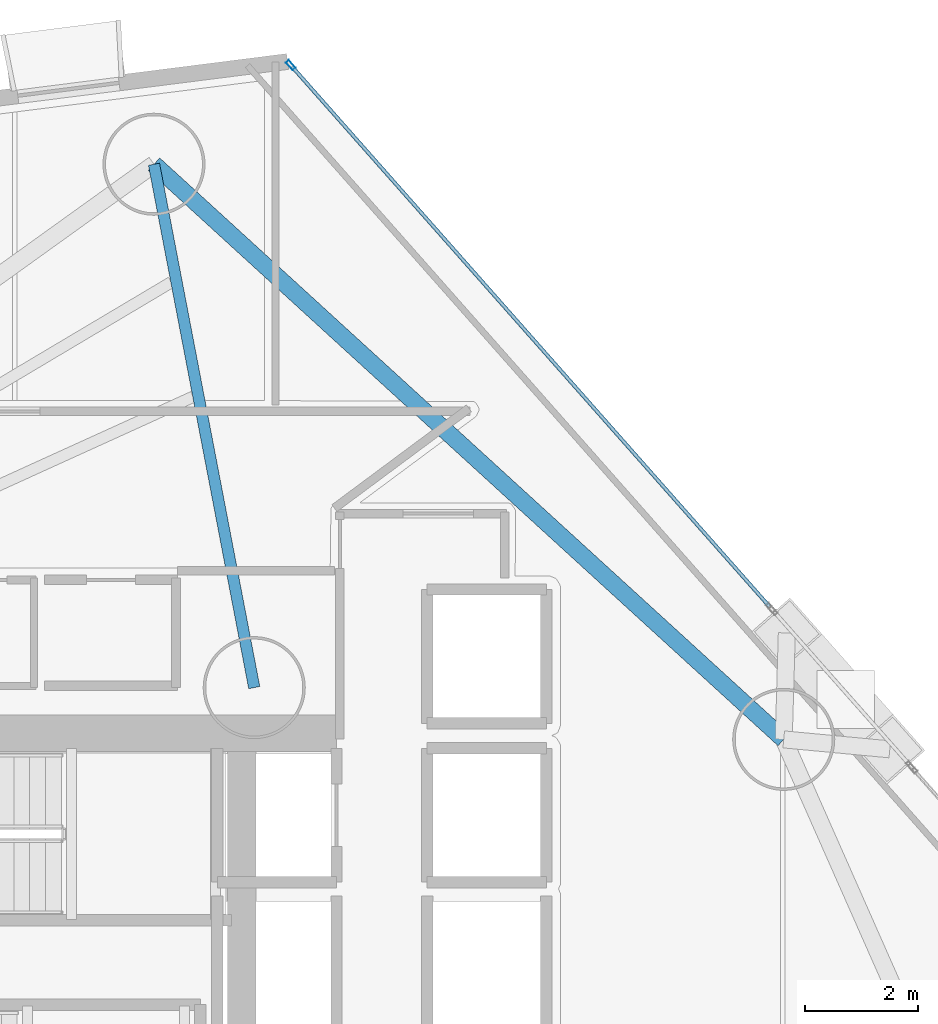
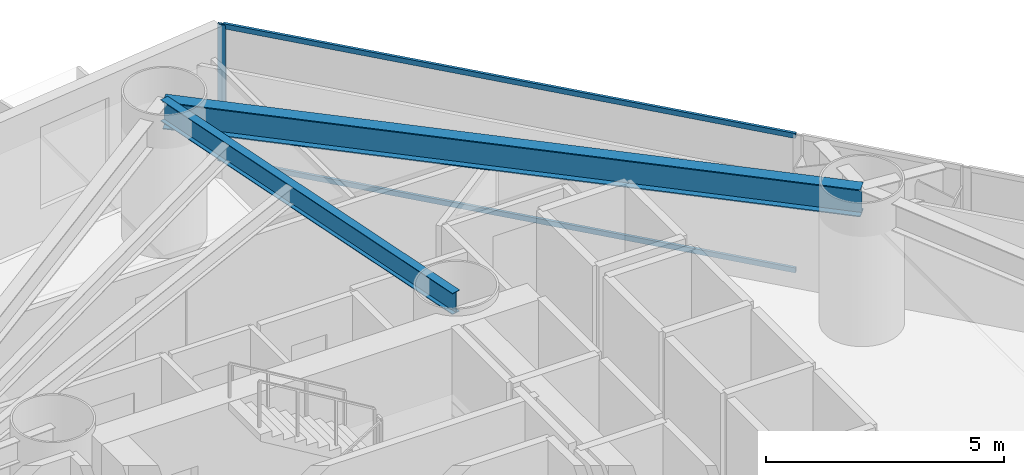
# One storey, part 11 of 22: 3 members, 2 beams, 1 element without a shape of its own.
"""IFC4 building model written with IfcOpenShell, lengths in metres."""

from ifc_helpers import new_model, si_unit, direction, frame, origin, origin_2d, place, context, subcontext, project, spatial, hollow_rectangle, i_section, extrude, material, layer, layer_set, material_profile, profile_set, type_object, element, aggregate, save


model = new_model("IFC4")

# Units and contexts
model_context = context("Model", 3, precision=1e-05, world=origin(), true_north=direction((0.0, 1.0)))
body_context = subcontext(model_context, "Body", "Model", "MODEL_VIEW")
ifc_project = project(units=[si_unit("LENGTHUNIT", "METRE"), si_unit("AREAUNIT", "SQUARE_METRE"), si_unit("VOLUMEUNIT", "CUBIC_METRE"), si_unit("PLANEANGLEUNIT", "RADIAN"), si_unit("MASSUNIT", "GRAM", prefix="KILO")], contexts=[model_context])

# Site, building, storey
site_placement = place(None, origin())
site = spatial("IfcSite", under=ifc_project, at=site_placement, CompositionType="ELEMENT")
building_placement = place(site_placement, origin())
building = spatial("IfcBuilding", under=site, at=building_placement, Name="Qianvela Tower", CompositionType="ELEMENT")
storey_placement = place(building_placement, frame((0.0, 0.0, 40.5)))
storey = spatial("IfcBuildingStorey", under=building, at=storey_placement, Name="L09", CompositionType="ELEMENT", Elevation=40.5)

# Beams
ifc_material_1 = material(Name="Steel Q355B", Category="steel")
ifc_material_profile_1 = material_profile(ifc_material_1, i_section(OverallWidth=0.199951171875, OverallDepth=0.550048828125, WebThickness=0.010009765625, FlangeThickness=0.01611328125, at=origin_2d()), Name="HN550x200x10x16")
ifc_profile_set_1 = profile_set([ifc_material_profile_1], Name="Steel Q355B")
beam_type_1 = type_object("IfcBeamType", Name="BM-HN550-GIRD", PredefinedType="BEAM", material=ifc_profile_set_1)
beam_1_placement = place(storey_placement, frame((38.39990234375, 33.550048828125, 3.242919921875), z_axis=(-0.188149597911, 0.982140381415, 0.0), x_axis=(-0.982140381415, -0.188149597911, 0.0)))
element("IfcBeam", 1, at=beam_1_placement, inside=storey, type_object=beam_type_1, Name="L09 Radial Primary Floor Girder 3", PredefinedType="BEAM", context=body_context, shape_type="SweptSolid", body=[
    extrude(i_section(OverallWidth=0.199951171875, OverallDepth=0.550048828125, WebThickness=0.010009765625, FlangeThickness=0.01611328125, at=origin_2d()), origin(), (0.0, 0.0, 1.0), 9.395751953125),
])
ifc_material_2 = material(Name="Steel Q355B", Category="steel")
ifc_material_profile_2 = material_profile(ifc_material_2, i_section(OverallWidth=0.300048828125, OverallDepth=0.699951171875, WebThickness=0.012939453125, FlangeThickness=0.02392578125, at=origin_2d()), Name="HN700x300x13x24")
ifc_profile_set_2 = profile_set([ifc_material_profile_2], Name="Steel Q355B")
beam_type_2 = type_object("IfcBeamType", Name="BM-HN700-SPAND", PredefinedType="SPANDREL", material=ifc_profile_set_2)
beam_2_placement = place(storey_placement, frame((47.736083984375, 32.636962890625, 3.16796875), z_axis=(-0.738396915155, 0.674366366072, 0.0), x_axis=(-0.674366366072, -0.738396915155, 0.0)))
element("IfcBeam", 2, at=beam_2_placement, inside=storey, type_object=beam_type_2, Name="L09 Perimeter Ring Spandrel Girder 2", PredefinedType="SPANDREL", context=body_context, shape_type="SweptSolid", body=[
    extrude(i_section(OverallWidth=0.300048828125, OverallDepth=0.699951171875, WebThickness=0.012939453125, FlangeThickness=0.02392578125, at=origin_2d()), origin(), (0.0, 0.0, 1.0), 15.0380859375),
])

# Curtain wall, members
ifc_material_3 = material(Name="Anodised Architectural Aluminium and Low-E Glass", Category="aluminium")
ifc_layer = layer(ifc_material_3, 0.179931640625)
ifc_layer_set = layer_set([ifc_layer], Name="Anodised Architectural Aluminium and Low-E Glass")
curtain_wall_type = type_object("IfcCurtainWallType", Name="CW-COLIV-Z12", PredefinedType="USERDEFINED", material=ifc_layer_set)
curtain_wall_placement = place(storey_placement, origin())
curtain_wall = element("IfcCurtainWall", 3, at=curtain_wall_placement, inside=storey, type_object=curtain_wall_type, Name="L09 CW-COLIV-Z12 Curtain Wall 02C", ObjectType="CURTAIN_WALL_SYSTEM", PredefinedType="USERDEFINED")
ifc_material_4 = material(Name="Anodised Architectural Aluminium 6063-T6", Category="aluminium")
ifc_material_profile_3 = material_profile(ifc_material_4, hollow_rectangle(XDim=0.070068359375, YDim=0.179931640625, WallThickness=0.0048828125, at=origin_2d()), Name="ALU-MULL-70x180")
ifc_profile_set_3 = profile_set([ifc_material_profile_3], Name="Anodised Architectural Aluminium 6063-T6")
member_type_1 = type_object("IfcMemberType", Name="CW-COLIV-Z12-MULL", PredefinedType="MULLION", material=ifc_profile_set_3)
member_1_placement = place(storey_placement, frame((39.04345703125, 44.5263671875, 0.0), z_axis=(0.0, 0.0, 1.0), x_axis=(-0.749108589555, -0.662447221335, 0.0)))
member_1 = element("IfcMember", 4, at=member_1_placement, type_object=member_type_1, Name="CW-3 mullion 2", PredefinedType="MULLION", context=body_context, shape_type="SweptSolid", body=[
    extrude(hollow_rectangle(XDim=0.070068359375, YDim=0.179931640625, WallThickness=0.0048828125, at=origin_2d()), origin(), (0.0, 0.0, 1.0), 3.52001953125),
])
ifc_material_5 = material(Name="Anodised Architectural Aluminium 6063-T6", Category="aluminium")
ifc_material_profile_4 = material_profile(ifc_material_5, hollow_rectangle(XDim=0.06494140625, YDim=0.1298828125, WallThickness=0.00439453125, at=origin_2d()), Name="ALU-TRAN-65x130")
ifc_profile_set_4 = profile_set([ifc_material_profile_4], Name="Anodised Architectural Aluminium 6063-T6")
member_type_2 = type_object("IfcMemberType", Name="CW-COLIV-Z12-TRAN", PredefinedType="USERDEFINED", material=ifc_profile_set_4)
member_2_placement = place(storey_placement, frame((47.483154296875, 34.982421875, 0.032470703125), z_axis=(-0.662436635426, 0.74911795069, 0.0), x_axis=(-0.74911795069, -0.662436635426, 0.0)))
member_2 = element("IfcMember", 5, at=member_2_placement, type_object=member_type_2, Name="CW-3 transom 1.1", ObjectType="TRANSOM", PredefinedType="USERDEFINED", context=body_context, shape_type="SweptSolid", body=[
    extrude(hollow_rectangle(XDim=0.06494140625, YDim=0.1298828125, WallThickness=0.00439453125, at=origin_2d()), origin(), (0.0, 0.0, 1.0), 12.705322265625),
])
member_3_placement = place(storey_placement, frame((47.483154296875, 34.982421875, 3.487548828125), z_axis=(-0.662436635426, 0.74911795069, 0.0), x_axis=(-0.74911795069, -0.662436635426, 0.0)))
member_3 = element("IfcMember", 6, at=member_3_placement, type_object=member_type_2, Name="CW-3 transom 1.2", ObjectType="TRANSOM", PredefinedType="USERDEFINED", context=body_context, shape_type="SweptSolid", body=[
    extrude(hollow_rectangle(XDim=0.06494140625, YDim=0.1298828125, WallThickness=0.00439453125, at=origin_2d()), origin(), (0.0, 0.0, 1.0), 12.705322265625),
])
aggregate(curtain_wall, [member_1, member_2, member_3])

save(model, "model.ifc")
